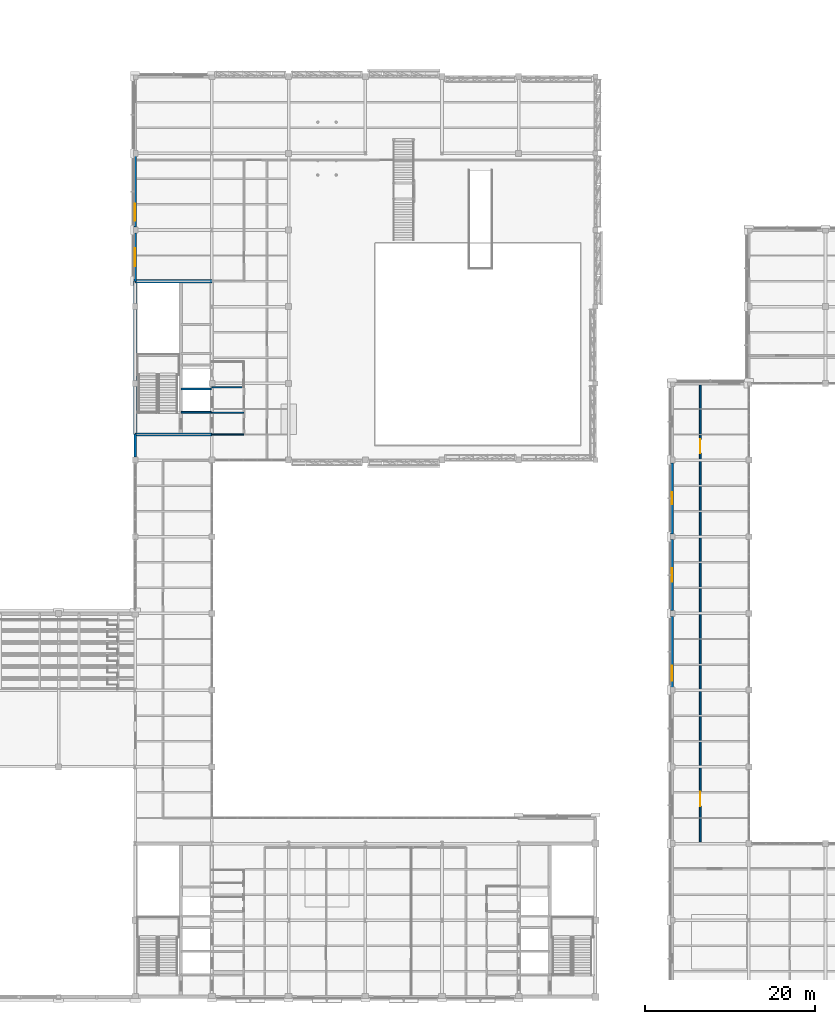
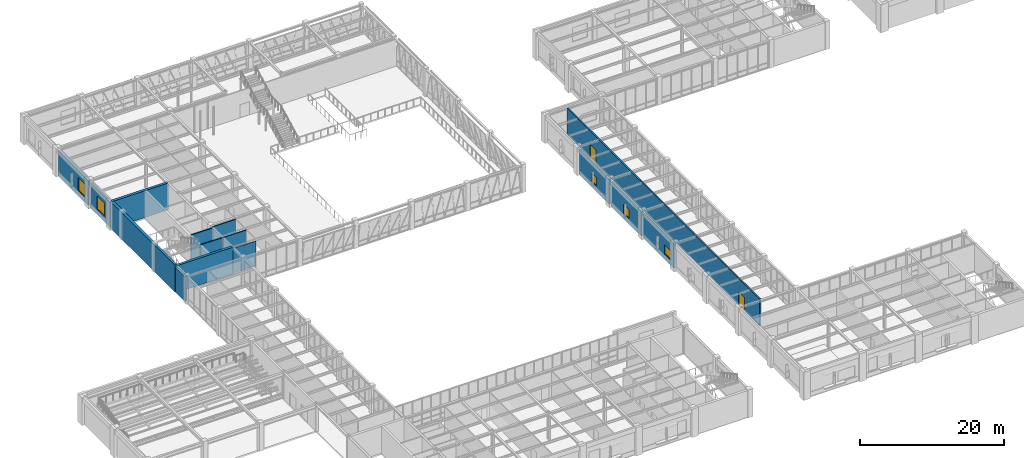
# One storey, part 83 of 98: 15 walls, 5 windows, 2 doors, 7 openings.
"""IFC4 building model written with IfcOpenShell, lengths in metres."""

import ifcopenshell
import ifcopenshell.guid

model = None  # the IFC model being written
_history = None  # IfcOwnerHistory: only IFC2X3 demands one
_inside = {}  # id of a spatial element -> (the spatial element, [elements in it])
_under = {}  # id of a project, library or spatial element -> (it, [spatial elements below it])
_declared = {}  # id of a project -> (the project, [libraries it declares])
_typed = {}  # id of a type object -> (the type object, [elements of that type])
_made_of = {}  # id of a material, layer set ... -> (it, [elements and type objects made of it])


def new_model(schema):
    """Start an empty IFC model of exactly this schema.

    Asked for "IFC4X3", IfcOpenShell would pick the latest addendum, in which some entities
    have other attributes; the version numbers below select the first issue.
    IFC2X3 requires an IfcOwnerHistory on every rooted entity: one is made here for all.
    """
    global model, _history
    if schema == "IFC4X3":
        model = ifcopenshell.file(schema_version=(4, 3, 0, 0))
    else:
        model = ifcopenshell.file(schema=schema)
    _inside.clear()
    _under.clear()
    _declared.clear()
    _typed.clear()
    _made_of.clear()
    _history = None
    if model.schema == "IFC2X3":
        org = make("IfcOrganization", Name="unknown")
        user = make(
            "IfcPersonAndOrganization",
            ThePerson=make("IfcPerson", FamilyName="unknown"),
            TheOrganization=org,
        )
        app = make(
            "IfcApplication",
            ApplicationDeveloper=org,
            Version="unknown",
            ApplicationFullName="unknown",
            ApplicationIdentifier="unknown",
        )
        _history = make(
            "IfcOwnerHistory",
            OwningUser=user,
            OwningApplication=app,
            ChangeAction="ADDED",
            CreationDate=0,
        )
    return model


def make(cls, **values):
    """One entity of the class cls with the attributes given. An attribute that is None is left unset."""
    return model.create_entity(
        cls, **{name: value for name, value in values.items() if value is not None}
    )


def rooted(cls, **values):
    """An entity with a GlobalId (a new one), such as an element, a storey or a relation."""
    return make(cls, GlobalId=ifcopenshell.guid.new(), OwnerHistory=_history, **values)


def si_unit(unit_type, name, prefix=None):
    """IfcSIUnit, for example si_unit("LENGTHUNIT", "METRE", prefix="MILLI")."""
    return make("IfcSIUnit", UnitType=unit_type, Prefix=prefix, Name=name)


def assignment(units):
    """IfcUnitAssignment: the units of a project."""
    return None if units is None else make("IfcUnitAssignment", Units=units)


def point(xyz):
    """IfcCartesianPoint."""
    return None if xyz is None else make("IfcCartesianPoint", Coordinates=xyz)


def direction(xyz):
    """IfcDirection."""
    return None if xyz is None else make("IfcDirection", DirectionRatios=xyz)


def frame(location, z_axis=None, x_axis=None):
    """IfcAxis2Placement3D, a coordinate frame: its origin and axes. An axis left out is left unset."""
    return make(
        "IfcAxis2Placement3D",
        Location=point(location),
        Axis=direction(z_axis),
        RefDirection=direction(x_axis),
    )


def frame_2d(location, x_axis=None):
    """IfcAxis2Placement2D, a coordinate frame in the plane: its origin and x axis."""
    return make(
        "IfcAxis2Placement2D", Location=point(location), RefDirection=direction(x_axis)
    )


def origin():
    """The frame at (0, 0, 0) with its axes left unset."""
    return frame((0.0, 0.0, 0.0))


def place(relative_to, where):
    """IfcLocalPlacement: puts the frame where relative to a parent placement (None: the world)."""
    return make(
        "IfcLocalPlacement", PlacementRelTo=relative_to, RelativePlacement=where
    )


def context(
    kind, dimensions, precision=None, world=None, true_north=None, identifier=None
):
    """IfcGeometricRepresentationContext, for example the 3D "Model" context."""
    return make(
        "IfcGeometricRepresentationContext",
        ContextIdentifier=identifier,
        ContextType=kind,
        CoordinateSpaceDimension=dimensions,
        Precision=precision,
        WorldCoordinateSystem=world,
        TrueNorth=true_north,
    )


def subcontext(parent, identifier, kind, view, scale=None):
    """IfcGeometricRepresentationSubContext, for example "Body" below "Model"."""
    return make(
        "IfcGeometricRepresentationSubContext",
        ContextIdentifier=identifier,
        ContextType=kind,
        ParentContext=parent,
        TargetScale=scale,
        TargetView=view,
    )


def project(units=None, contexts=None):
    """IfcProject with its units and contexts."""
    return rooted(
        "IfcProject",
        Name="project",
        RepresentationContexts=contexts,
        UnitsInContext=assignment(units),
    )


def spatial(cls, under=None, at=None, **own):
    """A site, building, storey or space (cls), placed at a placement, below another one or the project."""
    s = rooted(cls, ObjectPlacement=at, **own)
    if under is not None:
        _under.setdefault(under.id(), (under, []))[1].append(s)
    return s


def profile(cls, at=None, kind="AREA", **sizes):
    """A parametric profile (cls). Its sizes go by their IFC names, for example OverallWidth=200.0."""
    return make(cls, ProfileType=kind, Position=at, **sizes)


def rectangle(**sizes):
    """IfcRectangleProfileDef."""
    return profile("IfcRectangleProfileDef", **sizes)


def extrude(swept, where, along, depth):
    """IfcExtrudedAreaSolid: the profile swept, set in the frame where, extruded along a direction by depth."""
    return make(
        "IfcExtrudedAreaSolid",
        SweptArea=swept,
        Position=where,
        ExtrudedDirection=direction(along),
        Depth=depth,
    )


def shape(context_of_items, identifier, shape_type, items):
    """IfcShapeRepresentation: the items that make up one representation, for example the "Body"."""
    return make(
        "IfcShapeRepresentation",
        ContextOfItems=context_of_items,
        RepresentationIdentifier=identifier,
        RepresentationType=shape_type,
        Items=items,
    )


def material(Name=None, Category=None):
    """IfcMaterial."""
    return make("IfcMaterial", Name=Name, Category=Category)


def layer(
    of_material, thickness, ventilated=None, Name=None, Category=None, Priority=None
):
    """IfcMaterialLayer: one layer of a wall or slab, of a material (None: an air gap)."""
    return make(
        "IfcMaterialLayer",
        Material=of_material,
        LayerThickness=thickness,
        IsVentilated=ventilated,
        Name=Name,
        Category=Category,
        Priority=Priority,
    )


def layer_set(layers, Name=None):
    """IfcMaterialLayerSet."""
    return make("IfcMaterialLayerSet", MaterialLayers=layers, LayerSetName=Name)


def made_of(thing, what):
    """Note that an element or type object is made of a material, layer set ...; save() writes the relation."""
    if what is not None:
        _made_of.setdefault(what.id(), (what, []))[1].append(thing)
    return thing


def type_object(cls, material=None, **own):
    """A type object (cls), such as IfcWallType, which elements share."""
    return made_of(rooted(cls, **own), material)


def element(
    cls,
    number,
    at=None,
    inside=None,
    cuts=None,
    type_object=None,
    material=None,
    context=None,
    identifier="Body",
    shape_type=None,
    held_by="IfcProductDefinitionShape",
    body=None,
    shapes=None,
    **own,
):
    """One element of the class cls, such as IfcWall. Its Tag is "e" and its number.

    at: its placement. inside: the storey or other place that contains it. cuts: it is an
    opening in that element (IfcRelVoidsElement). A single representation is given by context,
    identifier, shape_type and body (its items); several are given by shapes. held_by: the class
    of the entity that holds the representations. save() writes the other relations.
    """
    e = rooted(cls, Tag="e%d" % number, ObjectPlacement=at, **own)
    if body is not None:
        shapes = [shape(context, identifier, shape_type, body)]
    if shapes is not None:
        e.Representation = make(held_by, Representations=shapes)
    if inside is not None:
        _inside.setdefault(inside.id(), (inside, []))[1].append(e)
    if cuts is not None:
        rooted(
            "IfcRelVoidsElement", RelatingBuildingElement=cuts, RelatedOpeningElement=e
        )
    if type_object is not None:
        _typed.setdefault(type_object.id(), (type_object, []))[1].append(e)
    return made_of(e, material)


def fill(opening, filler):
    """IfcRelFillsElement: the door or window that sits in an opening."""
    return rooted(
        "IfcRelFillsElement",
        RelatingOpeningElement=opening,
        RelatedBuildingElement=filler,
    )


def aggregate(whole, parts):
    """IfcRelAggregates: a whole, such as a stair, and the parts it consists of."""
    return rooted("IfcRelAggregates", RelatingObject=whole, RelatedObjects=parts)


def save(model, path):
    """Write the relations noted so far, then the file.

    IfcRelAggregates (storeys below a building ...), IfcRelContainedInSpatialStructure (elements
    in a storey), IfcRelDefinesByType, IfcRelAssociatesMaterial and IfcRelDeclares: one each for
    every whole, place, type object, material and project.
    """
    for whole, parts in _under.values():
        aggregate(whole, parts)
    for where, things in _inside.values():
        rooted(
            "IfcRelContainedInSpatialStructure",
            RelatedElements=things,
            RelatingStructure=where,
        )
    for kind, things in _typed.values():
        rooted("IfcRelDefinesByType", RelatedObjects=things, RelatingType=kind)
    for what, things in _made_of.values():
        rooted("IfcRelAssociatesMaterial", RelatedObjects=things, RelatingMaterial=what)
    for by, libraries in _declared.values():
        rooted("IfcRelDeclares", RelatingContext=by, RelatedDefinitions=libraries)
    model.write(path)


model = new_model("IFC4")

# Units and contexts
model_context = context("Model", 3, precision=1e-05, world=origin(), true_north=direction((0.0, 1.0)))
body_context = subcontext(model_context, "Body", "Model", "MODEL_VIEW")
ifc_project = project(units=[si_unit("LENGTHUNIT", "METRE"), si_unit("AREAUNIT", "SQUARE_METRE"), si_unit("VOLUMEUNIT", "CUBIC_METRE"), si_unit("PLANEANGLEUNIT", "RADIAN"), si_unit("MASSUNIT", "GRAM", prefix="KILO")], contexts=[model_context])

# Site, building, storey
site_placement = place(None, origin())
site = spatial("IfcSite", under=ifc_project, at=site_placement, CompositionType="ELEMENT")
building_placement = place(site_placement, origin())
building = spatial("IfcBuilding", under=site, at=building_placement, Name="Lykobir Media Centre", CompositionType="ELEMENT")
storey_placement = place(building_placement, frame((0.0, 0.0, 10.199951171875)))
storey = spatial("IfcBuildingStorey", under=building, at=storey_placement, Name="L02", CompositionType="ELEMENT", Elevation=10.199951171875)

# Wall
ifc_material_1 = material(Name="Architectural Ochre Brick", Category="masonry")
ifc_layer_1 = layer(ifc_material_1, 0.330078125, Name="Architectural Ochre Brick")
ifc_layer_set_1 = layer_set([ifc_layer_1], Name="Architectural Ochre Brick")
wall_type_1 = type_object("IfcWallType", Name="EW-BRK-330", PredefinedType="STANDARD", material=ifc_layer_set_1)
wall_1_placement = place(storey_placement, frame((27.0, 66.074951171875, 0.0), z_axis=(0.0, 0.0, 1.0), x_axis=(0.0, -1.0, 0.0)))
element("IfcWall", 1, at=wall_1_placement, inside=storey, type_object=wall_type_1, Name="Exterior wall WALL-L02-0180", PredefinedType="STANDARD", context=body_context, shape_type="SweptSolid", body=[
    extrude(rectangle(XDim=2.739990234375, YDim=0.330078125, at=frame_2d((1.3701171875, 0.0))), origin(), (0.0, 0.0, 1.0), 4.235107421875),
])

# Wall, opening, window
wall_2_placement = place(storey_placement, frame((27.0, 89.6650390625, 0.0), z_axis=(0.0, 0.0, 1.0), x_axis=(0.0, -1.0, 0.0)))
wall_2 = element("IfcWall", 2, at=wall_2_placement, inside=storey, type_object=wall_type_1, Name="Exterior wall WALL-L02-0181", PredefinedType="STANDARD", context=body_context, shape_type="SweptSolid", body=[
    extrude(rectangle(XDim=5.739990234375, YDim=0.330078125, at=frame_2d((2.8701171875, 0.0))), origin(), (0.0, 0.0, 1.0), 4.235107421875),
])
opening_1_placement = place(wall_2_placement, frame((1.820068359375, 0.0, 0.89990234375)))
opening_1 = element("IfcOpeningElement", 3, at=opening_1_placement, cuts=wall_2, Name="Opening WN-2100x2250", PredefinedType="OPENING", context=body_context, shape_type="SweptSolid", body=[
    extrude(rectangle(XDim=2.10009765625, YDim=2.25, at=frame_2d((1.050048828125, 1.125))), frame((0.0, 0.175048828125, 0.0), z_axis=(0.0, -1.0, 0.0), x_axis=(1.0, 0.0, 0.0)), (0.0, 0.0, 1.0), 0.35009765625),
])
ifc_material_2 = material(Name="Low-E Laminated Triple Glazing", Category="glass")
window_type_1 = type_object("IfcWindowType", Name="WN-2100x2250", PartitioningType="SINGLE_PANEL", PredefinedType="WINDOW", material=ifc_material_2)
window_1_placement = place(opening_1_placement, origin())
window_1 = element("IfcWindow", 4, at=window_1_placement, inside=storey, type_object=window_type_1, Name="Window WIN-L02-0054", OverallHeight=2.25, OverallWidth=2.10009765625, PartitioningType="SINGLE_PANEL", PredefinedType="WINDOW", context=body_context, shape_type="SweptSolid", body=[
    extrude(rectangle(XDim=2.10009765625, YDim=2.25, at=frame_2d((1.050048828125, 1.125))), frame((0.0, 0.030029296875, 0.0), z_axis=(0.0, -1.0, 0.0), x_axis=(1.0, 0.0, 0.0)), (0.0, 0.0, 1.0), 0.06005859375),
])
fill(opening_1, window_1)

wall_3_placement = place(storey_placement, frame((27.0, 98.6650390625, 0.0), z_axis=(0.0, 0.0, 1.0), x_axis=(0.0, -1.0, 0.0)))
wall_3 = element("IfcWall", 5, at=wall_3_placement, inside=storey, type_object=wall_type_1, Name="Exterior wall WALL-L02-0182", PredefinedType="STANDARD", context=body_context, shape_type="SweptSolid", body=[
    extrude(rectangle(XDim=8.330078125, YDim=0.330078125, at=frame_2d((4.1650390625, 0.0))), origin(), (0.0, 0.0, 1.0), 4.235107421875),
])
opening_2_placement = place(wall_3_placement, frame((5.580078125, 0.0, 0.89990234375)))
opening_2 = element("IfcOpeningElement", 6, at=opening_2_placement, cuts=wall_3, Name="Opening WN-2000x2200", PredefinedType="OPENING", context=body_context, shape_type="SweptSolid", body=[
    extrude(rectangle(XDim=2.0, YDim=2.199951171875, at=frame_2d((1.0, 1.10009765625))), frame((0.0, 0.175048828125, 0.0), z_axis=(0.0, -1.0, 0.0), x_axis=(1.0, 0.0, 0.0)), (0.0, 0.0, 1.0), 0.35009765625),
])
window_type_2 = type_object("IfcWindowType", Name="WN-2000x2200", PartitioningType="SINGLE_PANEL", PredefinedType="WINDOW", material=ifc_material_2)
window_2_placement = place(opening_2_placement, origin())
window_2 = element("IfcWindow", 7, at=window_2_placement, inside=storey, type_object=window_type_2, Name="Window WIN-L02-0055", OverallHeight=2.199951171875, OverallWidth=2.0, PartitioningType="SINGLE_PANEL", PredefinedType="WINDOW", context=body_context, shape_type="SweptSolid", body=[
    extrude(rectangle(XDim=2.0, YDim=2.199951171875, at=frame_2d((1.0, 1.10009765625))), frame((0.0, 0.030029296875, 0.0), z_axis=(0.0, -1.0, 0.0), x_axis=(1.0, 0.0, 0.0)), (0.0, 0.0, 1.0), 0.06005859375),
])
fill(opening_2, window_2)

wall_4_placement = place(storey_placement, frame((90.0, 44.6650390625, 0.0), z_axis=(0.0, 0.0, 1.0), x_axis=(0.0, -1.0, 0.0)))
wall_4 = element("IfcWall", 8, at=wall_4_placement, inside=storey, type_object=wall_type_1, Name="Exterior wall WALL-L02-0199", PredefinedType="STANDARD", context=body_context, shape_type="SweptSolid", body=[
    extrude(rectangle(XDim=8.330078125, YDim=0.330078125, at=frame_2d((4.1650390625, 0.0))), origin(), (0.0, 0.0, 1.0), 4.235107421875),
])
opening_3_placement = place(wall_4_placement, frame((5.780029296875, 0.0, 0.89990234375)))
opening_3 = element("IfcOpeningElement", 9, at=opening_3_placement, cuts=wall_4, Name="Opening WN-1800x1550", PredefinedType="OPENING", context=body_context, shape_type="SweptSolid", body=[
    extrude(rectangle(XDim=1.800048828125, YDim=1.550048828125, at=frame_2d((0.89990234375, 0.77490234375))), frame((0.0, 0.175048828125, 0.0), z_axis=(0.0, -1.0, 0.0), x_axis=(1.0, 0.0, 0.0)), (0.0, 0.0, 1.0), 0.35009765625),
])
window_type_3 = type_object("IfcWindowType", Name="WN-1800x1550", PartitioningType="SINGLE_PANEL", PredefinedType="WINDOW", material=ifc_material_2)
window_3_placement = place(opening_3_placement, origin())
window_3 = element("IfcWindow", 10, at=window_3_placement, inside=storey, type_object=window_type_3, Name="Window WIN-L02-0060", OverallHeight=1.550048828125, OverallWidth=1.800048828125, PartitioningType="SINGLE_PANEL", PredefinedType="WINDOW", context=body_context, shape_type="SweptSolid", body=[
    extrude(rectangle(XDim=1.800048828125, YDim=1.550048828125, at=frame_2d((0.89990234375, 0.77490234375))), frame((0.0, 0.030029296875, 0.0), z_axis=(0.0, -1.0, 0.0), x_axis=(1.0, 0.0, 0.0)), (0.0, 0.0, 1.0), 0.06005859375),
])
fill(opening_3, window_3)

wall_5_placement = place(storey_placement, frame((90.0, 53.6650390625, 0.0), z_axis=(0.0, 0.0, 1.0), x_axis=(0.0, -1.0, 0.0)))
wall_5 = element("IfcWall", 11, at=wall_5_placement, inside=storey, type_object=wall_type_1, Name="Exterior wall WALL-L02-0200", PredefinedType="STANDARD", context=body_context, shape_type="SweptSolid", body=[
    extrude(rectangle(XDim=8.330078125, YDim=0.330078125, at=frame_2d((4.1650390625, 0.0))), origin(), (0.0, 0.0, 1.0), 4.235107421875),
])
opening_4_placement = place(wall_5_placement, frame((3.364990234375, 0.0, 0.89990234375)))
opening_4 = element("IfcOpeningElement", 12, at=opening_4_placement, cuts=wall_5, Name="Opening WN-1600x1500", PredefinedType="OPENING", context=body_context, shape_type="SweptSolid", body=[
    extrude(rectangle(XDim=1.60009765625, YDim=1.5, at=frame_2d((0.800048828125, 0.75))), frame((0.0, 0.175048828125, 0.0), z_axis=(0.0, -1.0, 0.0), x_axis=(1.0, 0.0, 0.0)), (0.0, 0.0, 1.0), 0.35009765625),
])
window_type_4 = type_object("IfcWindowType", Name="WN-1600x1500", PartitioningType="SINGLE_PANEL", PredefinedType="WINDOW", material=ifc_material_2)
window_4_placement = place(opening_4_placement, origin())
window_4 = element("IfcWindow", 13, at=window_4_placement, inside=storey, type_object=window_type_4, Name="Window WIN-L02-0061", OverallHeight=1.5, OverallWidth=1.60009765625, PartitioningType="SINGLE_PANEL", PredefinedType="WINDOW", context=body_context, shape_type="SweptSolid", body=[
    extrude(rectangle(XDim=1.60009765625, YDim=1.5, at=frame_2d((0.800048828125, 0.75))), frame((0.0, 0.030029296875, 0.0), z_axis=(0.0, -1.0, 0.0), x_axis=(1.0, 0.0, 0.0)), (0.0, 0.0, 1.0), 0.06005859375),
])
fill(opening_4, window_4)

wall_6_placement = place(storey_placement, frame((90.0, 62.6650390625, 0.0), z_axis=(0.0, 0.0, 1.0), x_axis=(0.0, -1.0, 0.0)))
wall_6 = element("IfcWall", 14, at=wall_6_placement, inside=storey, type_object=wall_type_1, Name="Exterior wall WALL-L02-0201", PredefinedType="STANDARD", context=body_context, shape_type="SweptSolid", body=[
    extrude(rectangle(XDim=8.330078125, YDim=0.330078125, at=frame_2d((4.1650390625, 0.0))), origin(), (0.0, 0.0, 1.0), 4.235107421875),
])
opening_5_placement = place(wall_6_placement, frame((3.465087890625, 0.0, 0.89990234375)))
opening_5 = element("IfcOpeningElement", 15, at=opening_5_placement, cuts=wall_6, Name="Opening WN-1400x1450", PredefinedType="OPENING", context=body_context, shape_type="SweptSolid", body=[
    extrude(rectangle(XDim=1.39990234375, YDim=1.449951171875, at=frame_2d((0.699951171875, 0.72509765625))), frame((0.0, 0.175048828125, 0.0), z_axis=(0.0, -1.0, 0.0), x_axis=(1.0, 0.0, 0.0)), (0.0, 0.0, 1.0), 0.35009765625),
])
window_type_5 = type_object("IfcWindowType", Name="WN-1400x1450", PartitioningType="SINGLE_PANEL", PredefinedType="WINDOW", material=ifc_material_2)
window_5_placement = place(opening_5_placement, origin())
window_5 = element("IfcWindow", 16, at=window_5_placement, inside=storey, type_object=window_type_5, Name="Window WIN-L02-0062", OverallHeight=1.449951171875, OverallWidth=1.39990234375, PartitioningType="SINGLE_PANEL", PredefinedType="WINDOW", context=body_context, shape_type="SweptSolid", body=[
    extrude(rectangle(XDim=1.39990234375, YDim=1.449951171875, at=frame_2d((0.699951171875, 0.72509765625))), frame((0.0, 0.030029296875, 0.0), z_axis=(0.0, -1.0, 0.0), x_axis=(1.0, 0.0, 0.0)), (0.0, 0.0, 1.0), 0.06005859375),
])
fill(opening_5, window_5)

# Walls
ifc_material_3 = material(Name="Acoustic Gypsum Board", Category="gypsum")
ifc_layer_2 = layer(ifc_material_3, 0.159912109375, Name="Acoustic Gypsum Board")
ifc_layer_set_2 = layer_set([ifc_layer_2], Name="Acoustic Gypsum Board")
wall_type_2 = type_object("IfcWallType", Name="IW-COR-160", PredefinedType="PARTITIONING", material=ifc_layer_set_2)
wall_7_placement = place(storey_placement, frame((36.0, 66.0, 0.0), z_axis=(0.0, 0.0, 1.0), x_axis=(1.0, 0.0, 0.0)))
element("IfcWall", 17, at=wall_7_placement, inside=storey, type_object=wall_type_2, Name="Wall IWALL-L02-0402", PredefinedType="PARTITIONING", context=body_context, shape_type="SweptSolid", body=[
    extrude(rectangle(XDim=3.75, YDim=0.159912109375, at=frame_2d((1.875, 0.0))), origin(), (0.0, 0.0, 1.0), 4.215087890625),
])
for number, where, z_axis, x_axis, name in (
    (18, (36.0, 68.550048828125, 0.0), (0.0, 0.0, 1.0), (1.0, 0.0, 0.0), "Wall IWALL-L02-0403"),
    (19, (36.0, 71.550048828125, 0.0), (0.0, 0.0, 1.0), (1.0, 0.0, 0.0), "Wall IWALL-L02-0404"),
):
    element("IfcWall", number, at=place(storey_placement, frame(where, z_axis=z_axis, x_axis=x_axis)), inside=storey, type_object=wall_type_2, Name=name, PredefinedType="PARTITIONING", context=body_context, shape_type="SweptSolid", body=[
        extrude(rectangle(XDim=3.75, YDim=0.159912109375, at=frame_2d((1.875, 0.0))), origin(), (0.0, 0.0, 1.0), 4.56005859375),
    ])
ifc_material_4 = material(Name="Concrete C30/37", Category="concrete")
ifc_layer_3 = layer(ifc_material_4, 0.199951171875, Name="Concrete C30/37")
ifc_layer_set_3 = layer_set([ifc_layer_3], Name="Concrete C30/37")
wall_type_3 = type_object("IfcWallType", Name="IW-SHAFT-200", PredefinedType="PARTITIONING", material=ifc_layer_set_3)
for number, where, z_axis, x_axis, name in (
    (20, (32.39990234375, 68.60009765625, 0.0), (0.0, 0.0, 1.0), (1.0, 0.0, 0.0), "Wall IWALL-L02-0396"),
    (21, (32.39990234375, 71.35009765625, 0.0), (0.0, 0.0, 1.0), (1.0, 0.0, 0.0), "Wall IWALL-L02-0397"),
):
    element("IfcWall", number, at=place(storey_placement, frame(where, z_axis=z_axis, x_axis=x_axis)), inside=storey, type_object=wall_type_3, Name=name, PredefinedType="PARTITIONING", context=body_context, shape_type="SweptSolid", body=[
        extrude(rectangle(XDim=3.5, YDim=0.199951171875, at=frame_2d((1.75, 0.0))), origin(), (0.0, 0.0, 1.0), 4.56005859375),
    ])

# Wall, openings, doors
ifc_layer_4 = layer(ifc_material_3, 0.219970703125, Name="Acoustic Gypsum Board")
ifc_layer_set_4 = layer_set([ifc_layer_4], Name="Acoustic Gypsum Board")
wall_type_4 = type_object("IfcWallType", Name="IW-STU-220", PredefinedType="PARTITIONING", material=ifc_layer_set_4)
wall_8_placement = place(storey_placement, frame((93.300048828125, 18.199951171875, 0.0), z_axis=(0.0, 0.0, 1.0), x_axis=(0.0, 1.0, 0.0)))
wall_8 = element("IfcWall", 22, at=wall_8_placement, inside=storey, type_object=wall_type_4, Name="Wall IWALL-L02-0711", PredefinedType="PARTITIONING", context=body_context, shape_type="SweptSolid", body=[
    extrude(rectangle(XDim=53.60009765625, YDim=0.219970703125, at=frame_2d((26.800048828125, 0.0))), origin(), (0.0, 0.0, 1.0), 4.56005859375),
])
opening_6_placement = place(wall_8_placement, frame((4.199951171875, 0.0, 0.0)))
opening_6 = element("IfcOpeningElement", 23, at=opening_6_placement, cuts=wall_8, Name="Opening D-L02-EP1", PredefinedType="OPENING", context=body_context, shape_type="SweptSolid", body=[
    extrude(rectangle(XDim=1.64990234375, YDim=2.25, at=frame_2d((0.824951171875, 1.125))), frame((0.0, 0.119873046875, 0.0), z_axis=(0.0, -1.0, 0.0), x_axis=(1.0, 0.0, 0.0)), (0.0, 0.0, 1.0), 0.239990234375),
])
opening_7_placement = place(wall_8_placement, frame((45.60009765625, 0.0, 0.0)))
opening_7 = element("IfcOpeningElement", 24, at=opening_7_placement, cuts=wall_8, Name="Opening D-L02-EP2", PredefinedType="OPENING", context=body_context, shape_type="SweptSolid", body=[
    extrude(rectangle(XDim=1.64990234375, YDim=2.25, at=frame_2d((0.824951171875, 1.125))), frame((0.0, 0.119873046875, 0.0), z_axis=(0.0, -1.0, 0.0), x_axis=(1.0, 0.0, 0.0)), (0.0, 0.0, 1.0), 0.239990234375),
])
ifc_material_5 = material(Name="Acoustic Timber Panelling", Category="wood")
door_type = type_object("IfcDoorType", Name="FD-1650x2250", OperationType="NOTDEFINED", PredefinedType="DOOR", material=ifc_material_5)
door_1_placement = place(opening_6_placement, origin())
door_1 = element("IfcDoor", 25, at=door_1_placement, inside=storey, type_object=door_type, Name="Door D-L02-EP1", OperationType="DOUBLE_DOOR_SINGLE_SWING", OverallHeight=2.25, OverallWidth=1.64990234375, PredefinedType="DOOR", context=body_context, shape_type="SweptSolid", body=[
    extrude(rectangle(XDim=1.64990234375, YDim=2.25, at=frame_2d((0.824951171875, 1.125))), frame((0.0, 0.02490234375, 0.0), z_axis=(0.0, -1.0, 0.0), x_axis=(1.0, 0.0, 0.0)), (0.0, 0.0, 1.0), 0.050048828125),
])
fill(opening_6, door_1)
door_2_placement = place(opening_7_placement, origin())
door_2 = element("IfcDoor", 26, at=door_2_placement, inside=storey, type_object=door_type, Name="Door D-L02-EP2", OperationType="DOUBLE_DOOR_SINGLE_SWING", OverallHeight=2.25, OverallWidth=1.64990234375, PredefinedType="DOOR", context=body_context, shape_type="SweptSolid", body=[
    extrude(rectangle(XDim=1.64990234375, YDim=2.25, at=frame_2d((0.824951171875, 1.125))), frame((0.0, 0.02490234375, 0.0), z_axis=(0.0, -1.0, 0.0), x_axis=(1.0, 0.0, 0.0)), (0.0, 0.0, 1.0), 0.050048828125),
])
fill(opening_7, door_2)

# Walls
ifc_material_6 = material(Name="Concrete C40/50", Category="concrete")
ifc_layer_5 = layer(ifc_material_6, 0.39990234375, Name="Concrete C40/50")
ifc_layer_set_5 = layer_set([ifc_layer_5], Name="Concrete C40/50")
wall_type_5 = type_object("IfcWallType", Name="SW-CORE-400", PredefinedType="SHEAR", material=ifc_layer_set_5)
wall_9_placement = place(storey_placement, frame((27.0, 66.0, 0.0), z_axis=(0.0, 0.0, 1.0), x_axis=(1.0, 0.0, 0.0)))
element("IfcWall", 27, at=wall_9_placement, inside=storey, type_object=wall_type_5, Name="Wall IWALL-L02-0391", PredefinedType="SHEAR", context=body_context, shape_type="SweptSolid", body=[
    extrude(rectangle(XDim=9.0, YDim=0.39990234375, at=frame_2d((4.5, 0.0))), origin(), (0.0, 0.0, 1.0), 4.56005859375),
])
ifc_layer_6 = layer(ifc_material_6, 0.39990234375, Name="Concrete C40/50")
ifc_layer_set_6 = layer_set([ifc_layer_6], Name="Concrete C40/50")
wall_type_6 = type_object("IfcWallType", Name="SW-CORE-400-E", PredefinedType="SHEAR", material=ifc_layer_set_6)
wall_10_placement = place(storey_placement, frame((36.0, 84.0, 0.0), z_axis=(0.0, 0.0, 1.0), x_axis=(-1.0, 0.0, 0.0)))
element("IfcWall", 28, at=wall_10_placement, inside=storey, type_object=wall_type_6, Name="Wall IWALL-L02-0393", PredefinedType="SHEAR", context=body_context, shape_type="SweptSolid", body=[
    extrude(rectangle(XDim=9.0, YDim=0.39990234375, at=frame_2d((4.5, 0.0))), origin(), (0.0, 0.0, 1.0), 4.56005859375),
])
wall_11_placement = place(storey_placement, frame((27.0, 84.0, 0.0), z_axis=(0.0, 0.0, 1.0), x_axis=(0.0, -1.0, 0.0)))
element("IfcWall", 29, at=wall_11_placement, inside=storey, type_object=wall_type_6, Name="Wall IWALL-L02-0394", PredefinedType="SHEAR", context=body_context, shape_type="SweptSolid", body=[
    extrude(rectangle(XDim=18.0, YDim=0.39990234375, at=frame_2d((9.0, 0.0))), origin(), (0.0, 0.0, 1.0), 4.56005859375),
])

save(model, "model.ifc")
